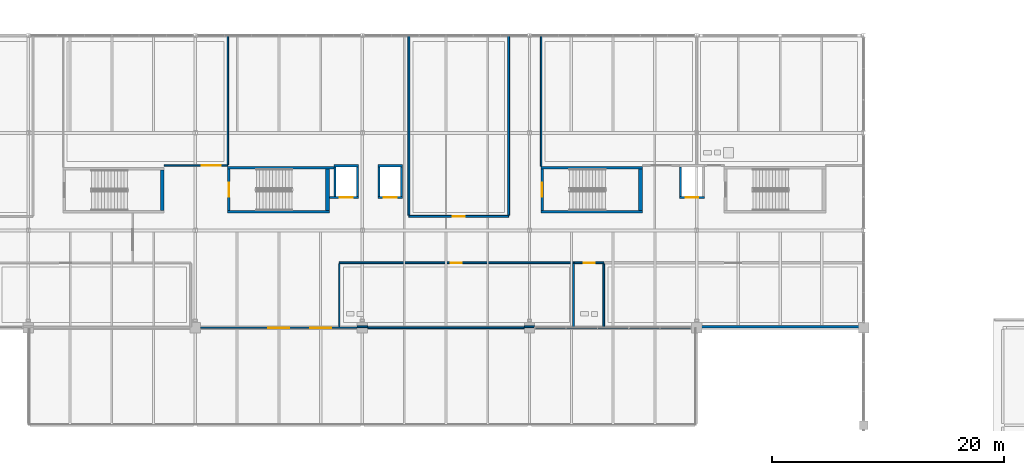
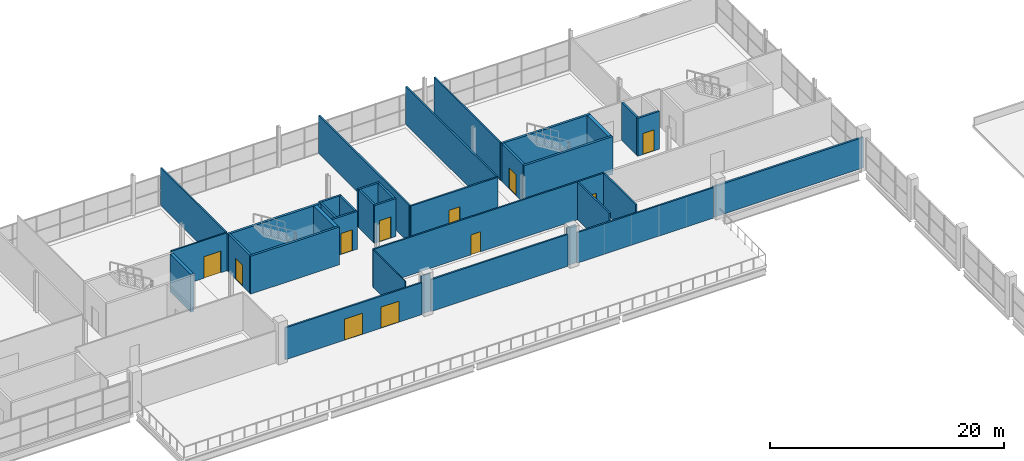
# One storey, part 80 of 93: 36 walls, 11 doors, 11 openings.
"""IFC4 building model written with IfcOpenShell, lengths in metres."""

from ifc_helpers import new_model, si_unit, direction, frame, frame_2d, origin, place, context, subcontext, project, spatial, rectangle, extrude, material, layer, layer_set, type_object, element, fill, save


model = new_model("IFC4")

# Units and contexts
model_context = context("Model", 3, precision=1e-05, world=origin(), true_north=direction((0.0, 1.0)))
body_context = subcontext(model_context, "Body", "Model", "MODEL_VIEW")
ifc_project = project(units=[si_unit("LENGTHUNIT", "METRE"), si_unit("AREAUNIT", "SQUARE_METRE"), si_unit("VOLUMEUNIT", "CUBIC_METRE"), si_unit("PLANEANGLEUNIT", "RADIAN"), si_unit("MASSUNIT", "GRAM", prefix="KILO"), si_unit("THERMODYNAMICTEMPERATUREUNIT", "KELVIN")], contexts=[model_context])

# Site, building, storey
site_placement = place(None, origin())
site = spatial("IfcSite", under=ifc_project, at=site_placement, CompositionType="ELEMENT")
building_placement = place(site_placement, origin())
building = spatial("IfcBuilding", under=site, at=building_placement, Name="Nduvali Passage Aquatics Centre", CompositionType="ELEMENT")
storey_placement = place(building_placement, frame((0.0, 0.0, 9.0)))
storey = spatial("IfcBuildingStorey", under=building, at=storey_placement, Name="L02", CompositionType="ELEMENT", Elevation=9.0)

# Walls
ifc_material_1 = material(Name="Coral-stone masonry blockwork", Category="masonry")
ifc_layer_1 = layer(ifc_material_1, 0.199951171875, Name="Coral-stone masonry blockwork")
ifc_layer_set_1 = layer_set([ifc_layer_1], Name="Coral-stone masonry blockwork")
wall_type_1 = type_object("IfcWallType", Name="INT-WAL-COMP200", PredefinedType="PARTITIONING", material=ifc_layer_set_1)
wall_1_placement = place(storey_placement, frame((111.14990234375, 92.5, 0.0), z_axis=(0.0, 0.0, 1.0), x_axis=(1.0, 0.0, 0.0)))
element("IfcWall", 1, at=wall_1_placement, inside=storey, type_object=wall_type_1, Name="L02 Clinical Diagnostics and Rehab Equipment Store Partition 0200", PredefinedType="PARTITIONING", context=body_context, shape_type="SweptSolid", body=[
    extrude(rectangle(XDim=14.830078125, YDim=0.199951171875, at=frame_2d((7.4150390625, 0.0))), origin(), (0.0, 0.0, 1.0), 3.183837890625),
])
ifc_material_2 = material(Name="Concrete C40/50", Category="concrete")
ifc_layer_2 = layer(ifc_material_2, 0.219970703125, Name="Concrete C40/50")
ifc_layer_set_2 = layer_set([ifc_layer_2], Name="Concrete C40/50")
wall_type_2 = type_object("IfcWallType", Name="INT-WAL-CORE220", PredefinedType="SOLIDWALL", material=ifc_layer_set_2)
wall_2_placement = place(storey_placement, frame((71.179931640625, 102.389892578125, 0.0), z_axis=(0.0, 0.0, 1.0), x_axis=(1.0, 0.0, 0.0)))
element("IfcWall", 2, at=wall_2_placement, inside=storey, type_object=wall_type_2, Name="L02 Stair ST1 Core Wall S", PredefinedType="SOLIDWALL", context=body_context, shape_type="SweptSolid", body=[
    extrude(rectangle(XDim=8.77001953125, YDim=0.219970703125, at=frame_2d((4.385009765625, 0.0))), origin(), (0.0, 0.0, 1.0), 3.949951171875),
])
wall_3_placement = place(storey_placement, frame((80.330078125, 106.199951171875, 0.0), z_axis=(0.0, 0.0, 1.0), x_axis=(-1.0, 0.0, 0.0)))
element("IfcWall", 3, at=wall_3_placement, inside=storey, type_object=wall_type_2, Name="L02 Stair ST1 Core Wall N", PredefinedType="SOLIDWALL", context=body_context, shape_type="SweptSolid", body=[
    extrude(rectangle(XDim=9.150146484375, YDim=0.219970703125, at=frame_2d((4.5751953125, 0.0))), origin(), (0.0, 0.0, 1.0), 3.949951171875),
])

# Wall, opening, door
wall_4_placement = place(storey_placement, frame((71.2900390625, 106.090087890625, 0.0), z_axis=(0.0, 0.0, 1.0), x_axis=(0.0, -1.0, 0.0)))
wall_4 = element("IfcWall", 4, at=wall_4_placement, inside=storey, type_object=wall_type_2, Name="L02 Stair ST1 Core Wall W", PredefinedType="SOLIDWALL", context=body_context, shape_type="SweptSolid", body=[
    extrude(rectangle(XDim=3.590087890625, YDim=0.219970703125, at=frame_2d((1.794921875, 0.0))), origin(), (0.0, 0.0, 1.0), 3.949951171875),
])
opening_1_placement = place(wall_4_placement, frame((1.195068359375, 0.0, 0.0)))
opening_1 = element("IfcOpeningElement", 5, at=opening_1_placement, cuts=wall_4, Name="Opening FD-ST2", PredefinedType="OPENING", context=body_context, shape_type="SweptSolid", body=[
    extrude(rectangle(XDim=1.199951171875, YDim=2.199951171875, at=frame_2d((0.60009765625, 1.10009765625))), frame((0.0, 0.125, 0.0), z_axis=(0.0, -1.0, 0.0), x_axis=(1.0, 0.0, 0.0)), (0.0, 0.0, 1.0), 0.249755859375),
])
ifc_material_3 = material(Name="Galvanised steel door", Category="steel")
door_type_1 = type_object("IfcDoorType", Name="INT-DR-ST120", OperationType="NOTDEFINED", PredefinedType="DOOR", material=ifc_material_3)
door_1_placement = place(opening_1_placement, frame((1.199951171875, 0.0, 0.0), z_axis=(0.0, 0.0, 1.0), x_axis=(-1.0, 0.0, 0.0)))
door_1 = element("IfcDoor", 6, at=door_1_placement, inside=storey, type_object=door_type_1, Name="L02 Stair ST1 Fire Lobby Door", OperationType="SINGLE_SWING_LEFT", OverallHeight=2.199951171875, OverallWidth=1.199951171875, PredefinedType="DOOR", context=body_context, shape_type="SweptSolid", body=[
    extrude(rectangle(XDim=1.199951171875, YDim=2.199951171875, at=frame_2d((0.60009765625, 1.10009765625))), frame((0.0, 0.02490234375, 0.0), z_axis=(0.0, -1.0, 0.0), x_axis=(1.0, 0.0, 0.0)), (0.0, 0.0, 1.0), 0.050048828125),
])
fill(opening_1, door_1)

# Walls
for number, where, z_axis, x_axis, name in (
    (7, (98.179931640625, 102.389892578125, 0.0), (0.0, 0.0, 1.0), (1.0, 0.0, 0.0), "L02 Stair ST11 Core Wall S"),
    (8, (106.949951171875, 106.199951171875, 0.0), (0.0, 0.0, 1.0), (-1.0, 0.0, 0.0), "L02 Stair ST11 Core Wall N"),
):
    element("IfcWall", number, at=place(storey_placement, frame(where, z_axis=z_axis, x_axis=x_axis)), inside=storey, type_object=wall_type_2, Name=name, PredefinedType="SOLIDWALL", context=body_context, shape_type="SweptSolid", body=[
        extrude(rectangle(XDim=8.77001953125, YDim=0.219970703125, at=frame_2d((4.385009765625, 0.0))), origin(), (0.0, 0.0, 1.0), 3.949951171875),
    ])

# Wall, opening, door
wall_5_placement = place(storey_placement, frame((98.2900390625, 106.090087890625, 0.0), z_axis=(0.0, 0.0, 1.0), x_axis=(0.0, -1.0, 0.0)))
wall_5 = element("IfcWall", 9, at=wall_5_placement, inside=storey, type_object=wall_type_2, Name="L02 Stair ST11 Core Wall W", PredefinedType="SOLIDWALL", context=body_context, shape_type="SweptSolid", body=[
    extrude(rectangle(XDim=3.590087890625, YDim=0.219970703125, at=frame_2d((1.794921875, 0.0))), origin(), (0.0, 0.0, 1.0), 3.949951171875),
])
opening_2_placement = place(wall_5_placement, frame((1.195068359375, 0.0, 0.0)))
opening_2 = element("IfcOpeningElement", 10, at=opening_2_placement, cuts=wall_5, Name="Opening FD-ST2", PredefinedType="OPENING", context=body_context, shape_type="SweptSolid", body=[
    extrude(rectangle(XDim=1.199951171875, YDim=2.199951171875, at=frame_2d((0.60009765625, 1.10009765625))), frame((0.0, 0.125, 0.0), z_axis=(0.0, -1.0, 0.0), x_axis=(1.0, 0.0, 0.0)), (0.0, 0.0, 1.0), 0.249755859375),
])
door_2_placement = place(opening_2_placement, frame((1.199951171875, 0.0, 0.0), z_axis=(0.0, 0.0, 1.0), x_axis=(-1.0, 0.0, 0.0)))
door_2 = element("IfcDoor", 11, at=door_2_placement, inside=storey, type_object=door_type_1, Name="L02 Stair ST11 Fire Lobby Door", OperationType="SINGLE_SWING_RIGHT", OverallHeight=2.199951171875, OverallWidth=1.199951171875, PredefinedType="DOOR", context=body_context, shape_type="SweptSolid", body=[
    extrude(rectangle(XDim=1.199951171875, YDim=2.199951171875, at=frame_2d((0.60009765625, 1.10009765625))), frame((0.0, 0.02490234375, 0.0), z_axis=(0.0, -1.0, 0.0), x_axis=(1.0, 0.0, 0.0)), (0.0, 0.0, 1.0), 0.050048828125),
])
fill(opening_2, door_2)

# Wall, openings, doors
ifc_material_4 = material(Name="Gypsum fire-rated stud partition")
ifc_layer_3 = layer(ifc_material_4, 0.159912109375, Name="Gypsum fire-rated stud partition")
ifc_layer_set_3 = layer_set([ifc_layer_3], Name="Gypsum fire-rated stud partition")
wall_type_3 = type_object("IfcWallType", Name="INT-WAL-FIRE160", PredefinedType="PARTITIONING", material=ifc_layer_set_3)
wall_6_placement = place(storey_placement, frame((68.85009765625, 92.39990234375, 0.0), z_axis=(0.0, 0.0, 1.0), x_axis=(1.0, 0.0, 0.0)))
wall_6 = element("IfcWall", 12, at=wall_6_placement, inside=storey, type_object=wall_type_3, Name="L02 Media Gallery Grid M Fire Partition 2", PredefinedType="PARTITIONING", context=body_context, shape_type="SweptSolid", body=[
    extrude(rectangle(XDim=13.5, YDim=0.159912109375, at=frame_2d((6.75, 0.0))), origin(), (0.0, 0.0, 1.0), 3.340087890625),
])
opening_3_placement = place(wall_6_placement, frame((5.85009765625, 0.0, 0.0)))
opening_3 = element("IfcOpeningElement", 13, at=opening_3_placement, cuts=wall_6, Name="Opening FD-C1", PredefinedType="OPENING", context=body_context, shape_type="SweptSolid", body=[
    extrude(rectangle(XDim=1.800048828125, YDim=2.199951171875, at=frame_2d((0.89990234375, 1.10009765625))), frame((0.0, 0.0947265625, 0.0), z_axis=(0.0, -1.0, 0.0), x_axis=(1.0, 0.0, 0.0)), (0.0, 0.0, 1.0), 0.189697265625),
])
opening_4_placement = place(wall_6_placement, frame((9.449951171875, 0.0, 0.0)))
opening_4 = element("IfcOpeningElement", 14, at=opening_4_placement, cuts=wall_6, Name="Opening FD-C1", PredefinedType="OPENING", context=body_context, shape_type="SweptSolid", body=[
    extrude(rectangle(XDim=1.800048828125, YDim=2.199951171875, at=frame_2d((0.89990234375, 1.10009765625))), frame((0.0, 0.0947265625, 0.0), z_axis=(0.0, -1.0, 0.0), x_axis=(1.0, 0.0, 0.0)), (0.0, 0.0, 1.0), 0.189697265625),
])
ifc_material_5 = material(Name="Timber solid-core fire door", Category="wood")
door_type_2 = type_object("IfcDoorType", Name="INT-DR-COR180", OperationType="DOUBLE_DOOR_SINGLE_SWING", PredefinedType="DOOR", material=ifc_material_5)
door_3_placement = place(opening_3_placement, origin())
door_3 = element("IfcDoor", 15, at=door_3_placement, inside=storey, type_object=door_type_2, Name="L02 Media Gallery West Egress Fire Door", OperationType="DOUBLE_DOOR_SINGLE_SWING", OverallHeight=2.199951171875, OverallWidth=1.800048828125, PredefinedType="DOOR", context=body_context, shape_type="SweptSolid", body=[
    extrude(rectangle(XDim=1.800048828125, YDim=2.199951171875, at=frame_2d((0.89990234375, 1.10009765625))), frame((0.0, 0.02490234375, 0.0), z_axis=(0.0, -1.0, 0.0), x_axis=(1.0, 0.0, 0.0)), (0.0, 0.0, 1.0), 0.050048828125),
])
fill(opening_3, door_3)
door_4_placement = place(opening_4_placement, origin())
door_4 = element("IfcDoor", 16, at=door_4_placement, inside=storey, type_object=door_type_2, Name="L02 Media Gallery East Egress Fire Door", OperationType="DOUBLE_DOOR_SINGLE_SWING", OverallHeight=2.199951171875, OverallWidth=1.800048828125, PredefinedType="DOOR", context=body_context, shape_type="SweptSolid", body=[
    extrude(rectangle(XDim=1.800048828125, YDim=2.199951171875, at=frame_2d((0.89990234375, 1.10009765625))), frame((0.0, 0.02490234375, 0.0), z_axis=(0.0, -1.0, 0.0), x_axis=(1.0, 0.0, 0.0)), (0.0, 0.0, 1.0), 0.050048828125),
])
fill(opening_4, door_4)

# Walls
wall_7_placement = place(storey_placement, frame((83.25, 92.39990234375, 0.0), z_axis=(0.0, 0.0, 1.0), x_axis=(1.0, 0.0, 0.0)))
element("IfcWall", 17, at=wall_7_placement, inside=storey, type_object=wall_type_3, Name="L02 Media Gallery Grid M Fire Partition 3", PredefinedType="PARTITIONING", context=body_context, shape_type="SweptSolid", body=[
    extrude(rectangle(XDim=13.5, YDim=0.159912109375, at=frame_2d((6.75, 0.0))), origin(), (0.0, 0.0, 1.0), 3.340087890625),
])
wall_8_placement = place(storey_placement, frame((97.64990234375, 92.39990234375, 0.0), z_axis=(0.0, 0.0, 1.0), x_axis=(1.0, 0.0, 0.0)))
element("IfcWall", 18, at=wall_8_placement, inside=storey, type_object=wall_type_3, Name="L02 Media Gallery Grid M Fire Partition 4", PredefinedType="PARTITIONING", context=body_context, shape_type="SweptSolid", body=[
    extrude(rectangle(XDim=13.5, YDim=0.159912109375, at=frame_2d((6.75, 0.0))), origin(), (0.0, 0.0, 1.0), 3.183837890625),
])

# Wall, opening, door
wall_9_placement = place(storey_placement, frame((86.800048828125, 102.0, 0.0), z_axis=(0.0, 0.0, 1.0), x_axis=(1.0, 0.0, 0.0)))
wall_9 = element("IfcWall", 19, at=wall_9_placement, inside=storey, type_object=wall_type_3, Name="L02 Sports Medicine Consultation Clinic Partition 0185", PredefinedType="PARTITIONING", context=body_context, shape_type="SweptSolid", body=[
    extrude(rectangle(XDim=8.599853515625, YDim=0.159912109375, at=frame_2d((4.2998046875, 0.0))), origin(), (0.0, 0.0, 1.0), 3.949951171875),
])
opening_5_placement = place(wall_9_placement, frame((3.77490234375, 0.0, 0.0)))
opening_5 = element("IfcOpeningElement", 20, at=opening_5_placement, cuts=wall_9, Name="Opening FD-R1", PredefinedType="OPENING", context=body_context, shape_type="SweptSolid", body=[
    extrude(rectangle(XDim=1.050048828125, YDim=2.179931640625, at=frame_2d((0.52490234375, 1.08984375))), frame((0.0, 0.0947265625, 0.0), z_axis=(0.0, -1.0, 0.0), x_axis=(1.0, 0.0, 0.0)), (0.0, 0.0, 1.0), 0.189697265625),
])
door_type_3 = type_object("IfcDoorType", Name="INT-DR-FIRE100", OperationType="NOTDEFINED", PredefinedType="DOOR", material=ifc_material_5)
door_5_placement = place(opening_5_placement, frame((1.050048828125, 0.0, 0.0), z_axis=(0.0, 0.0, 1.0), x_axis=(-1.0, 0.0, 0.0)))
door_5 = element("IfcDoor", 21, at=door_5_placement, inside=storey, type_object=door_type_3, Name="L02 Sports Medicine Consultation Clinic Door 0063", OperationType="SINGLE_SWING_RIGHT", OverallHeight=2.179931640625, OverallWidth=1.050048828125, PredefinedType="DOOR", context=body_context, shape_type="SweptSolid", body=[
    extrude(rectangle(XDim=1.050048828125, YDim=2.179931640625, at=frame_2d((0.52490234375, 1.08984375))), frame((0.0, 0.02490234375, 0.0), z_axis=(0.0, -1.0, 0.0), x_axis=(1.0, 0.0, 0.0)), (0.0, 0.0, 1.0), 0.050048828125),
])
fill(opening_5, door_5)

# Walls
for number, where, z_axis, x_axis, name in (
    (22, (86.800048828125, 102.080078125, 0.0), (0.0, 0.0, 1.0), (0.0, 1.0, 0.0), "L02 Sports Medicine Consultation Clinic Partition 0186"),
    (23, (95.39990234375, 102.080078125, 0.0), (0.0, 0.0, 1.0), (0.0, 1.0, 0.0), "L02 Sports Medicine Consultation Clinic Partition 0187"),
):
    element("IfcWall", number, at=place(storey_placement, frame(where, z_axis=z_axis, x_axis=x_axis)), inside=storey, type_object=wall_type_3, Name=name, PredefinedType="PARTITIONING", context=body_context, shape_type="SweptSolid", body=[
        extrude(rectangle(XDim=15.5, YDim=0.159912109375, at=frame_2d((7.75, 0.0))), origin(), (0.0, 0.0, 1.0), 3.949951171875),
    ])
ifc_material_6 = material(Name="Glulam GL28h", Category="wood")
ifc_layer_4 = layer(ifc_material_6, 0.10009765625, Name="Glulam GL28h")
ifc_layer_set_4 = layer_set([ifc_layer_4], Name="Glulam GL28h")
wall_type_4 = type_object("IfcWallType", Name="INT-WAL-MOV100", PredefinedType="MOVABLE", material=ifc_layer_set_4)
wall_10_placement = place(storey_placement, frame((80.800048828125, 92.47998046875, 0.0), z_axis=(0.0, 0.0, 1.0), x_axis=(0.0, 1.0, 0.0)))
element("IfcWall", 24, at=wall_10_placement, inside=storey, type_object=wall_type_4, Name="L02 L02 Clinic and Studio Public Toilets Partition 0196", PredefinedType="MOVABLE", context=body_context, shape_type="SweptSolid", body=[
    extrude(rectangle(XDim=5.445068359375, YDim=0.10009765625, at=frame_2d((2.72265625, 0.0))), origin(), (0.0, 0.0, 1.0), 3.949951171875),
])

# Wall, opening, door
ifc_material_7 = material(Name="Gypsum acoustic stud partition")
ifc_layer_5 = layer(ifc_material_7, 0.139892578125, Name="Gypsum acoustic stud partition")
ifc_layer_set_5 = layer_set([ifc_layer_5], Name="Gypsum acoustic stud partition")
wall_type_5 = type_object("IfcWallType", Name="INT-WAL-PART140", PredefinedType="PARTITIONING", material=ifc_layer_set_5)
wall_11_placement = place(storey_placement, frame((65.699951171875, 106.39990234375, 0.0), z_axis=(0.0, 0.0, 1.0), x_axis=(1.0, 0.0, 0.0)))
wall_11 = element("IfcWall", 25, at=wall_11_placement, inside=storey, type_object=wall_type_5, Name="L02 Indoor Cycling and HIIT Group Studio 2 Partition 0177", PredefinedType="PARTITIONING", context=body_context, shape_type="SweptSolid", body=[
    extrude(rectangle(XDim=5.47998046875, YDim=0.139892578125, at=frame_2d((2.739990234375, 0.0))), origin(), (0.0, 0.0, 1.0), 3.949951171875),
])
opening_6_placement = place(wall_11_placement, frame((3.2451171875, 0.0, 0.0)))
opening_6 = element("IfcOpeningElement", 26, at=opening_6_placement, cuts=wall_11, Name="Opening SD1", PredefinedType="OPENING", context=body_context, shape_type="SweptSolid", body=[
    extrude(rectangle(XDim=1.64990234375, YDim=2.25, at=frame_2d((0.824951171875, 1.125))), frame((0.0, 0.0849609375, 0.0), z_axis=(0.0, -1.0, 0.0), x_axis=(1.0, 0.0, 0.0)), (0.0, 0.0, 1.0), 0.169677734375),
])
ifc_material_8 = material(Name="Aluminium-framed glazed door", Category="aluminium")
door_type_4 = type_object("IfcDoorType", Name="INT-DR-SLD160", OperationType="DOUBLE_DOOR_SLIDING", PredefinedType="DOOR", material=ifc_material_8)
door_6_placement = place(opening_6_placement, frame((1.64990234375, 0.0, 0.0), z_axis=(0.0, 0.0, 1.0), x_axis=(-1.0, 0.0, 0.0)))
door_6 = element("IfcDoor", 27, at=door_6_placement, inside=storey, type_object=door_type_4, Name="L02 Indoor Cycling and HIIT Group Studio 2 Door 0061", OperationType="DOUBLE_DOOR_SLIDING", OverallHeight=2.25, OverallWidth=1.64990234375, PredefinedType="DOOR", context=body_context, shape_type="SweptSolid", body=[
    extrude(rectangle(XDim=1.64990234375, YDim=2.25, at=frame_2d((0.824951171875, 1.125))), frame((0.0, 0.02490234375, 0.0), z_axis=(0.0, -1.0, 0.0), x_axis=(1.0, 0.0, 0.0)), (0.0, 0.0, 1.0), 0.050048828125),
])
fill(opening_6, door_6)

# Walls
wall_12_placement = place(storey_placement, frame((71.199951171875, 106.469970703125, 0.0), z_axis=(0.0, 0.0, 1.0), x_axis=(0.0, 1.0, 0.0)))
element("IfcWall", 28, at=wall_12_placement, inside=storey, type_object=wall_type_5, Name="L02 Indoor Cycling and HIIT Group Studio 2 Partition 0179", PredefinedType="PARTITIONING", context=body_context, shape_type="SweptSolid", body=[
    extrude(rectangle(XDim=11.110107421875, YDim=0.139892578125, at=frame_2d((5.55517578125, 0.0))), origin(), (0.0, 0.0, 1.0), 3.949951171875),
])
wall_13_placement = place(storey_placement, frame((98.199951171875, 106.31005859375, 0.0), z_axis=(0.0, 0.0, 1.0), x_axis=(0.0, 1.0, 0.0)))
element("IfcWall", 29, at=wall_13_placement, inside=storey, type_object=wall_type_5, Name="L02 Physiotherapy and Aquatic Rehabilitation Clinic Partition 0189", PredefinedType="PARTITIONING", context=body_context, shape_type="SweptSolid", body=[
    extrude(rectangle(XDim=11.27001953125, YDim=0.139892578125, at=frame_2d((5.635009765625, 0.0))), origin(), (0.0, 0.0, 1.0), 3.949951171875),
])

# Wall, opening, door
ifc_layer_6 = layer(ifc_material_2, 0.18994140625, Name="Concrete C40/50")
ifc_layer_set_6 = layer_set([ifc_layer_6], Name="Concrete C40/50")
wall_type_6 = type_object("IfcWallType", Name="INT-WAL-SHAFT200", PredefinedType="SOLIDWALL", material=ifc_layer_set_6)
wall_14_placement = place(storey_placement, frame((79.949951171875, 103.625, 0.0), z_axis=(0.0, 0.0, 1.0), x_axis=(1.0, 0.0, 0.0)))
wall_14 = element("IfcWall", 30, at=wall_14_placement, inside=storey, type_object=wall_type_6, Name="L02 Lift L1 Shaft Wall S", PredefinedType="SOLIDWALL", context=body_context, shape_type="SweptSolid", body=[
    extrude(rectangle(XDim=2.52001953125, YDim=0.18994140625, at=frame_2d((1.260009765625, 0.0))), origin(), (0.0, 0.0, 1.0), 3.949951171875),
])
opening_7_placement = place(wall_14_placement, frame((0.89990234375, 0.0, 0.0)))
opening_7 = element("IfcOpeningElement", 31, at=opening_7_placement, cuts=wall_14, Name="Opening LD1", PredefinedType="OPENING", context=body_context, shape_type="SweptSolid", body=[
    extrude(rectangle(XDim=1.10009765625, YDim=2.199951171875, at=frame_2d((0.550048828125, 1.10009765625))), frame((0.0, 0.10986328125, 0.0), z_axis=(0.0, -1.0, 0.0), x_axis=(1.0, 0.0, 0.0)), (0.0, 0.0, 1.0), 0.2197265625),
])
ifc_material_9 = material(Name="Stainless steel landing door", Category="steel")
door_type_5 = type_object("IfcDoorType", Name="INT-DR-LD1", OperationType="DOUBLE_DOOR_SLIDING", PredefinedType="DOOR", material=ifc_material_9)
door_7_placement = place(opening_7_placement, origin())
door_7 = element("IfcDoor", 32, at=door_7_placement, inside=storey, type_object=door_type_5, Name="L02 Lift L1 Sliding Landing Door LD1", OperationType="DOUBLE_DOOR_SLIDING", OverallHeight=2.199951171875, OverallWidth=1.10009765625, PredefinedType="DOOR", context=body_context, shape_type="SweptSolid", body=[
    extrude(rectangle(XDim=1.10009765625, YDim=2.199951171875, at=frame_2d((0.550048828125, 1.10009765625))), frame((0.0, 0.02490234375, 0.0), z_axis=(0.0, -1.0, 0.0), x_axis=(1.0, 0.0, 0.0)), (0.0, 0.0, 1.0), 0.050048828125),
])
fill(opening_7, door_7)

# Walls
wall_15_placement = place(storey_placement, frame((82.375, 103.719970703125, 0.0), z_axis=(0.0, 0.0, 1.0), x_axis=(0.0, 1.0, 0.0)))
element("IfcWall", 33, at=wall_15_placement, inside=storey, type_object=wall_type_6, Name="L02 Lift L1 Shaft Wall E", PredefinedType="SOLIDWALL", context=body_context, shape_type="SweptSolid", body=[
    extrude(rectangle(XDim=2.56005859375, YDim=0.18994140625, at=frame_2d((1.280029296875, 0.0))), origin(), (0.0, 0.0, 1.0), 3.949951171875),
])
wall_16_placement = place(storey_placement, frame((82.469970703125, 106.375, 0.0), z_axis=(0.0, 0.0, 1.0), x_axis=(-1.0, 0.0, 0.0)))
element("IfcWall", 34, at=wall_16_placement, inside=storey, type_object=wall_type_6, Name="L02 Lift L1 Shaft Wall N", PredefinedType="SOLIDWALL", context=body_context, shape_type="SweptSolid", body=[
    extrude(rectangle(XDim=2.139892578125, YDim=0.18994140625, at=frame_2d((1.06982421875, 0.0))), origin(), (0.0, 0.0, 1.0), 3.949951171875),
])
wall_17_placement = place(storey_placement, frame((80.425048828125, 106.280029296875, 0.0), z_axis=(0.0, 0.0, 1.0), x_axis=(0.0, -1.0, 0.0)))
element("IfcWall", 35, at=wall_17_placement, inside=storey, type_object=wall_type_6, Name="L02 Lift L1 Shaft Wall W", PredefinedType="SOLIDWALL", context=body_context, shape_type="SweptSolid", body=[
    extrude(rectangle(XDim=2.56005859375, YDim=0.18994140625, at=frame_2d((1.280029296875, 0.0))), origin(), (0.0, 0.0, 1.0), 3.949951171875),
])

# Wall, opening, door
wall_18_placement = place(storey_placement, frame((84.1298828125, 103.625, 0.0), z_axis=(0.0, 0.0, 1.0), x_axis=(1.0, 0.0, 0.0)))
wall_18 = element("IfcWall", 36, at=wall_18_placement, inside=storey, type_object=wall_type_6, Name="L02 Lift L2 Shaft Wall S", PredefinedType="SOLIDWALL", context=body_context, shape_type="SweptSolid", body=[
    extrude(rectangle(XDim=2.14013671875, YDim=0.18994140625, at=frame_2d((1.070068359375, 0.0))), origin(), (0.0, 0.0, 1.0), 3.949951171875),
])
opening_8_placement = place(wall_18_placement, frame((0.52001953125, 0.0, 0.0)))
opening_8 = element("IfcOpeningElement", 37, at=opening_8_placement, cuts=wall_18, Name="Opening LD2", PredefinedType="OPENING", context=body_context, shape_type="SweptSolid", body=[
    extrude(rectangle(XDim=1.10009765625, YDim=2.199951171875, at=frame_2d((0.550048828125, 1.10009765625))), frame((0.0, 0.10986328125, 0.0), z_axis=(0.0, -1.0, 0.0), x_axis=(1.0, 0.0, 0.0)), (0.0, 0.0, 1.0), 0.2197265625),
])
door_type_6 = type_object("IfcDoorType", Name="INT-DR-LD2", OperationType="DOUBLE_DOOR_SLIDING", PredefinedType="DOOR", material=ifc_material_9)
door_8_placement = place(opening_8_placement, origin())
door_8 = element("IfcDoor", 38, at=door_8_placement, inside=storey, type_object=door_type_6, Name="L02 Lift L2 Sliding Landing Door LD2", OperationType="DOUBLE_DOOR_SLIDING", OverallHeight=2.199951171875, OverallWidth=1.10009765625, PredefinedType="DOOR", context=body_context, shape_type="SweptSolid", body=[
    extrude(rectangle(XDim=1.10009765625, YDim=2.199951171875, at=frame_2d((0.550048828125, 1.10009765625))), frame((0.0, 0.02490234375, 0.0), z_axis=(0.0, -1.0, 0.0), x_axis=(1.0, 0.0, 0.0)), (0.0, 0.0, 1.0), 0.050048828125),
])
fill(opening_8, door_8)

# Walls
wall_19_placement = place(storey_placement, frame((86.175048828125, 103.719970703125, 0.0), z_axis=(0.0, 0.0, 1.0), x_axis=(0.0, 1.0, 0.0)))
element("IfcWall", 39, at=wall_19_placement, inside=storey, type_object=wall_type_6, Name="L02 Lift L2 Shaft Wall E", PredefinedType="SOLIDWALL", context=body_context, shape_type="SweptSolid", body=[
    extrude(rectangle(XDim=2.56005859375, YDim=0.18994140625, at=frame_2d((1.280029296875, 0.0))), origin(), (0.0, 0.0, 1.0), 3.949951171875),
])
wall_20_placement = place(storey_placement, frame((86.27001953125, 106.375, 0.0), z_axis=(0.0, 0.0, 1.0), x_axis=(-1.0, 0.0, 0.0)))
element("IfcWall", 40, at=wall_20_placement, inside=storey, type_object=wall_type_6, Name="L02 Lift L2 Shaft Wall N", PredefinedType="SOLIDWALL", context=body_context, shape_type="SweptSolid", body=[
    extrude(rectangle(XDim=2.14013671875, YDim=0.18994140625, at=frame_2d((1.070068359375, 0.0))), origin(), (0.0, 0.0, 1.0), 3.949951171875),
])
wall_21_placement = place(storey_placement, frame((84.22509765625, 106.280029296875, 0.0), z_axis=(0.0, 0.0, 1.0), x_axis=(0.0, -1.0, 0.0)))
element("IfcWall", 41, at=wall_21_placement, inside=storey, type_object=wall_type_6, Name="L02 Lift L2 Shaft Wall W", PredefinedType="SOLIDWALL", context=body_context, shape_type="SweptSolid", body=[
    extrude(rectangle(XDim=2.56005859375, YDim=0.18994140625, at=frame_2d((1.280029296875, 0.0))), origin(), (0.0, 0.0, 1.0), 3.949951171875),
])

# Wall, opening, door
wall_22_placement = place(storey_placement, frame((110.1298828125, 103.625, 0.0), z_axis=(0.0, 0.0, 1.0), x_axis=(1.0, 0.0, 0.0)))
wall_22 = element("IfcWall", 42, at=wall_22_placement, inside=storey, type_object=wall_type_6, Name="L02 Lift L3 Shaft Wall S", PredefinedType="SOLIDWALL", context=body_context, shape_type="SweptSolid", body=[
    extrude(rectangle(XDim=2.14013671875, YDim=0.18994140625, at=frame_2d((1.070068359375, 0.0))), origin(), (0.0, 0.0, 1.0), 3.949951171875),
])
opening_9_placement = place(wall_22_placement, frame((0.52001953125, 0.0, 0.0)))
opening_9 = element("IfcOpeningElement", 43, at=opening_9_placement, cuts=wall_22, Name="Opening LD3", PredefinedType="OPENING", context=body_context, shape_type="SweptSolid", body=[
    extrude(rectangle(XDim=1.10009765625, YDim=2.199951171875, at=frame_2d((0.550048828125, 1.10009765625))), frame((0.0, 0.10986328125, 0.0), z_axis=(0.0, -1.0, 0.0), x_axis=(1.0, 0.0, 0.0)), (0.0, 0.0, 1.0), 0.2197265625),
])
door_type_7 = type_object("IfcDoorType", Name="INT-DR-LD3", OperationType="DOUBLE_DOOR_SLIDING", PredefinedType="DOOR", material=ifc_material_9)
door_9_placement = place(opening_9_placement, origin())
door_9 = element("IfcDoor", 44, at=door_9_placement, inside=storey, type_object=door_type_7, Name="L02 Lift L3 Sliding Landing Door LD3", OperationType="DOUBLE_DOOR_SLIDING", OverallHeight=2.199951171875, OverallWidth=1.10009765625, PredefinedType="DOOR", context=body_context, shape_type="SweptSolid", body=[
    extrude(rectangle(XDim=1.10009765625, YDim=2.199951171875, at=frame_2d((0.550048828125, 1.10009765625))), frame((0.0, 0.02490234375, 0.0), z_axis=(0.0, -1.0, 0.0), x_axis=(1.0, 0.0, 0.0)), (0.0, 0.0, 1.0), 0.050048828125),
])
fill(opening_9, door_9)

# Walls
wall_23_placement = place(storey_placement, frame((110.22509765625, 106.280029296875, 0.0), z_axis=(0.0, 0.0, 1.0), x_axis=(0.0, -1.0, 0.0)))
element("IfcWall", 45, at=wall_23_placement, inside=storey, type_object=wall_type_6, Name="L02 Lift L3 Shaft Wall W", PredefinedType="SOLIDWALL", context=body_context, shape_type="SweptSolid", body=[
    extrude(rectangle(XDim=2.56005859375, YDim=0.18994140625, at=frame_2d((1.280029296875, 0.0))), origin(), (0.0, 0.0, 1.0), 3.949951171875),
])
ifc_layer_7 = layer(ifc_material_1, 0.14990234375, Name="Coral-stone masonry blockwork")
ifc_layer_set_7 = layer_set([ifc_layer_7], Name="Coral-stone masonry blockwork")
wall_type_7 = type_object("IfcWallType", Name="INT-WAL-WET150", PredefinedType="PLUMBINGWALL", material=ifc_layer_set_7)
for number, where, z_axis, x_axis, name in (
    (46, (82.35009765625, 92.5, 0.0), (0.0, 0.0, 1.0), (1.0, 0.0, 0.0), "L02 L02 Clinic and Studio Public Toilets Partition 0193"),
    (47, (96.75, 92.5, 0.0), (0.0, 0.0, 1.0), (1.0, 0.0, 0.0), "L02 L02 Clinic and Studio Public Toilets Partition 0194"),
):
    element("IfcWall", number, at=place(storey_placement, frame(where, z_axis=z_axis, x_axis=x_axis)), inside=storey, type_object=wall_type_7, Name=name, PredefinedType="PLUMBINGWALL", context=body_context, shape_type="SweptSolid", body=[
        extrude(rectangle(XDim=0.89990234375, YDim=0.14990234375, at=frame_2d((0.449951171875, 0.0))), origin(), (0.0, 0.0, 1.0), 3.949951171875),
    ])

# Wall, opening, door
wall_24_placement = place(storey_placement, frame((80.800048828125, 98.0, 0.0), z_axis=(0.0, 0.0, 1.0), x_axis=(1.0, 0.0, 0.0)))
wall_24 = element("IfcWall", 48, at=wall_24_placement, inside=storey, type_object=wall_type_7, Name="L02 L02 Clinic and Studio Public Toilets Partition 0195", PredefinedType="PLUMBINGWALL", context=body_context, shape_type="SweptSolid", body=[
    extrude(rectangle(XDim=20.199951171875, YDim=0.14990234375, at=frame_2d((10.10009765625, 0.0))), origin(), (0.0, 0.0, 1.0), 3.949951171875),
])
opening_10_placement = place(wall_24_placement, frame((9.625, 0.0, 0.0)))
opening_10 = element("IfcOpeningElement", 49, at=opening_10_placement, cuts=wall_24, Name="Opening ID3", PredefinedType="OPENING", context=body_context, shape_type="SweptSolid", body=[
    extrude(rectangle(XDim=0.949951171875, YDim=2.10009765625, at=frame_2d((0.47509765625, 1.050048828125))), frame((0.0, 0.08984375, 0.0), z_axis=(0.0, -1.0, 0.0), x_axis=(1.0, 0.0, 0.0)), (0.0, 0.0, 1.0), 0.1796875),
])
ifc_material_10 = material(Name="Timber solid-core door", Category="wood")
door_type_8 = type_object("IfcDoorType", Name="INT-DR-WC95", OperationType="NOTDEFINED", PredefinedType="DOOR", material=ifc_material_10)
door_10_placement = place(opening_10_placement, origin())
door_10 = element("IfcDoor", 50, at=door_10_placement, inside=storey, type_object=door_type_8, Name="L02 L02 Clinic and Studio Public Toilets Door 0066", OperationType="SINGLE_SWING_LEFT", OverallHeight=2.10009765625, OverallWidth=0.949951171875, PredefinedType="DOOR", context=body_context, shape_type="SweptSolid", body=[
    extrude(rectangle(XDim=0.949951171875, YDim=2.10009765625, at=frame_2d((0.47509765625, 1.050048828125))), frame((0.0, 0.02490234375, 0.0), z_axis=(0.0, -1.0, 0.0), x_axis=(1.0, 0.0, 0.0)), (0.0, 0.0, 1.0), 0.050048828125),
])
fill(opening_10, door_10)

# Wall
wall_25_placement = place(storey_placement, frame((101.0, 92.47998046875, 0.0), z_axis=(0.0, 0.0, 1.0), x_axis=(0.0, 1.0, 0.0)))
element("IfcWall", 51, at=wall_25_placement, inside=storey, type_object=wall_type_7, Name="L02 L02 Clinic and Studio Public Toilets Partition 0197", PredefinedType="PLUMBINGWALL", context=body_context, shape_type="SweptSolid", body=[
    extrude(rectangle(XDim=5.445068359375, YDim=0.14990234375, at=frame_2d((2.72265625, 0.0))), origin(), (0.0, 0.0, 1.0), 3.949951171875),
])

# Wall, opening, door
wall_26_placement = place(storey_placement, frame((101.074951171875, 98.0, 0.0), z_axis=(0.0, 0.0, 1.0), x_axis=(1.0, 0.0, 0.0)))
wall_26 = element("IfcWall", 52, at=wall_26_placement, inside=storey, type_object=wall_type_7, Name="L02 L02 Accessible Patient and Athlete WC Partition 0198", PredefinedType="PLUMBINGWALL", context=body_context, shape_type="SweptSolid", body=[
    extrude(rectangle(XDim=2.525146484375, YDim=0.14990234375, at=frame_2d((1.2626953125, 0.0))), origin(), (0.0, 0.0, 1.0), 3.949951171875),
])
opening_11_placement = place(wall_26_placement, frame((0.787109375, 0.0, 0.0)))
opening_11 = element("IfcOpeningElement", 53, at=opening_11_placement, cuts=wall_26, Name="Opening ID3", PredefinedType="OPENING", context=body_context, shape_type="SweptSolid", body=[
    extrude(rectangle(XDim=0.949951171875, YDim=2.10009765625, at=frame_2d((0.47509765625, 1.050048828125))), frame((0.0, 0.08984375, 0.0), z_axis=(0.0, -1.0, 0.0), x_axis=(1.0, 0.0, 0.0)), (0.0, 0.0, 1.0), 0.1796875),
])
door_11_placement = place(opening_11_placement, frame((0.949951171875, 0.0, 0.0), z_axis=(0.0, 0.0, 1.0), x_axis=(-1.0, 0.0, 0.0)))
door_11 = element("IfcDoor", 54, at=door_11_placement, inside=storey, type_object=door_type_8, Name="L02 L02 Accessible Patient and Athlete WC Door 0067", OperationType="SINGLE_SWING_RIGHT", OverallHeight=2.10009765625, OverallWidth=0.949951171875, PredefinedType="DOOR", context=body_context, shape_type="SweptSolid", body=[
    extrude(rectangle(XDim=0.949951171875, YDim=2.10009765625, at=frame_2d((0.47509765625, 1.050048828125))), frame((0.0, 0.02490234375, 0.0), z_axis=(0.0, -1.0, 0.0), x_axis=(1.0, 0.0, 0.0)), (0.0, 0.0, 1.0), 0.050048828125),
])
fill(opening_11, door_11)

# Walls
wall_27_placement = place(storey_placement, frame((103.60009765625, 92.47998046875, 0.0), z_axis=(0.0, 0.0, 1.0), x_axis=(0.0, 1.0, 0.0)))
element("IfcWall", 55, at=wall_27_placement, inside=storey, type_object=wall_type_7, Name="L02 L02 Accessible Patient and Athlete WC Partition 0199", PredefinedType="PLUMBINGWALL", context=body_context, shape_type="SweptSolid", body=[
    extrude(rectangle(XDim=5.445068359375, YDim=0.14990234375, at=frame_2d((2.72265625, 0.0))), origin(), (0.0, 0.0, 1.0), 3.949951171875),
])
ifc_layer_8 = layer(ifc_material_2, 0.300048828125, Name="Concrete C40/50")
ifc_layer_set_8 = layer_set([ifc_layer_8], Name="Concrete C40/50")
wall_type_8 = type_object("IfcWallType", Name="STR-WAL-SHR300", PredefinedType="SHEAR", material=ifc_layer_set_8)
wall_28_placement = place(storey_placement, frame((65.550048828125, 102.5, 0.0), z_axis=(0.0, 0.0, 1.0), x_axis=(0.0, 1.0, 0.0)))
element("IfcWall", 56, at=wall_28_placement, inside=storey, type_object=wall_type_8, Name="L02 Stair ST3 Core Shear Wall E", PredefinedType="SHEAR", context=body_context, shape_type="SweptSolid", body=[
    extrude(rectangle(XDim=3.510009765625, YDim=0.300048828125, at=frame_2d((1.7548828125, 0.0))), origin(), (0.0, 0.0, 1.0), 3.949951171875),
])
ifc_layer_9 = layer(ifc_material_2, 0.35009765625, Name="Concrete C40/50")
ifc_layer_set_9 = layer_set([ifc_layer_9], Name="Concrete C40/50")
wall_type_9 = type_object("IfcWallType", Name="STR-WAL-SHR350", PredefinedType="SHEAR", material=ifc_layer_set_9)
for number, where, z_axis, x_axis, name in (
    (57, (79.77490234375, 102.5, 0.0), (0.0, 0.0, 1.0), (0.0, 1.0, 0.0), "L02 Stair ST1 Core Shear Wall E"),
    (58, (106.77490234375, 102.5, 0.0), (0.0, 0.0, 1.0), (0.0, 1.0, 0.0), "L02 Stair ST11 Core Shear Wall E"),
):
    element("IfcWall", number, at=place(storey_placement, frame(where, z_axis=z_axis, x_axis=x_axis)), inside=storey, type_object=wall_type_9, Name=name, PredefinedType="SHEAR", context=body_context, shape_type="SweptSolid", body=[
        extrude(rectangle(XDim=3.590087890625, YDim=0.35009765625, at=frame_2d((1.794921875, 0.0))), origin(), (0.0, 0.0, 1.0), 3.949951171875),
    ])

save(model, "model.ifc")
